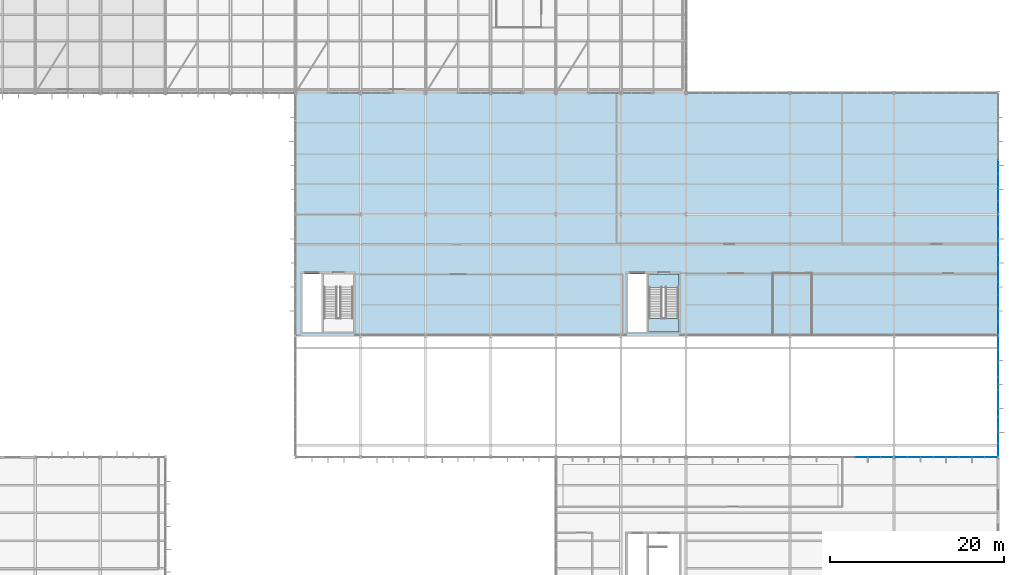
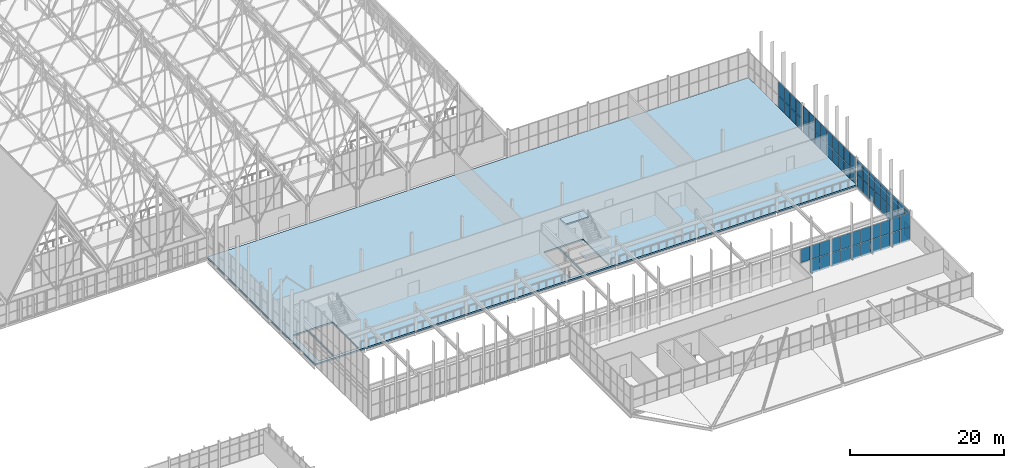
# One storey, part 283 of 324: 65 plates, 3 slabs, 6 elements without a shape of their own.
"""IFC4 building model written with IfcOpenShell, lengths in metres."""

from ifc_helpers import new_model, si_unit, direction, frame, origin, origin_2d, place, context, subcontext, project, spatial, polyline, rectangle, outline, extrude, material, layer, layer_set, type_object, element, aggregate, save


model = new_model("IFC4")

# Units and contexts
model_context = context("Model", 3, precision=1e-05, world=origin(), true_north=direction((0.0, 1.0)))
body_context = subcontext(model_context, "Body", "Model", "MODEL_VIEW")
ifc_project = project(units=[si_unit("LENGTHUNIT", "METRE"), si_unit("AREAUNIT", "SQUARE_METRE"), si_unit("VOLUMEUNIT", "CUBIC_METRE"), si_unit("PLANEANGLEUNIT", "RADIAN"), si_unit("MASSUNIT", "GRAM", prefix="KILO")], contexts=[model_context])

# Site, building, storey
site_placement = place(None, origin())
site = spatial("IfcSite", under=ifc_project, at=site_placement, CompositionType="ELEMENT")
building_placement = place(site_placement, origin())
building = spatial("IfcBuilding", under=site, at=building_placement, Name="Solvenia Promenade Tram Depot", CompositionType="ELEMENT")
storey_placement = place(building_placement, frame((0.0, 0.0, 4.5)))
storey = spatial("IfcBuildingStorey", under=building, at=storey_placement, Name="L01", CompositionType="ELEMENT", Elevation=4.5)

# Curtain wall, plates
ifc_material_1 = material(Name="Anodized aluminium AW-6063 T6", Category="aluminium")
ifc_layer_1 = layer(ifc_material_1, 0.080078125, Name="Anodized aluminium AW-6063 T6", Category="aluminium")
ifc_layer_set_1 = layer_set([ifc_layer_1], Name="Anodized aluminium AW-6063 T6")
curtain_wall_type = type_object("IfcCurtainWallType", Name="CW-Clerest-1500", PredefinedType="NOTDEFINED", material=ifc_layer_set_1)
curtain_wall_1_placement = place(storey_placement, origin())
curtain_wall_1 = element("IfcCurtainWall", 1, at=curtain_wall_1_placement, inside=storey, type_object=curtain_wall_type, Name="Curtain Wall CW-V2S-L1-08", PredefinedType="NOTDEFINED")
ifc_material_2 = material(Name="Double low-e argon insulated glass", Category="glass")
ifc_layer_2 = layer(ifc_material_2, 0.031982421875, Name="Double low-e argon insulated glass", Category="glass")
ifc_layer_set_2 = layer_set([ifc_layer_2], Name="Double low-e argon insulated glass")
plate_type = type_object("IfcPlateType", Name="CWP-Panel-2", PredefinedType="CURTAIN_PANEL", material=ifc_layer_set_2)
plate_1_placement = place(storey_placement, frame((170.219970703125, 24.0, 1.927490234375), z_axis=(0.0, 0.0, 1.0), x_axis=(1.0, 0.0, 0.0)))
plate_1 = element("IfcPlate", 2, at=plate_1_placement, type_object=plate_type, Name="CW-4 panel 6.2", PredefinedType="CURTAIN_PANEL", context=body_context, shape_type="SweptSolid", body=[
    extrude(rectangle(XDim=1.425048828125, YDim=0.031982421875, at=origin_2d()), origin(), (0.0, 0.0, 1.0), 2.16748046875),
])
plate_2_placement = place(storey_placement, frame((171.699951171875, 24.0, -0.294921875), z_axis=(0.0, 0.0, 1.0), x_axis=(1.0, 0.0, 0.0)))
plate_2 = element("IfcPlate", 3, at=plate_2_placement, type_object=plate_type, Name="CW-4 panel 7.1", PredefinedType="CURTAIN_PANEL", context=body_context, shape_type="SweptSolid", body=[
    extrude(rectangle(XDim=1.425048828125, YDim=0.031982421875, at=origin_2d()), origin(), (0.0, 0.0, 1.0), 2.16748046875),
])
plate_3_placement = place(storey_placement, frame((171.699951171875, 24.0, 1.927490234375), z_axis=(0.0, 0.0, 1.0), x_axis=(1.0, 0.0, 0.0)))
plate_3 = element("IfcPlate", 4, at=plate_3_placement, type_object=plate_type, Name="CW-4 panel 7.2", PredefinedType="CURTAIN_PANEL", context=body_context, shape_type="SweptSolid", body=[
    extrude(rectangle(XDim=1.425048828125, YDim=0.031982421875, at=origin_2d()), origin(), (0.0, 0.0, 1.0), 2.16748046875),
])
plate_4_placement = place(storey_placement, frame((173.166259765625, 24.0, -0.294921875), z_axis=(0.0, 0.0, 1.0), x_axis=(1.0, 0.0, 0.0)))
plate_4 = element("IfcPlate", 5, at=plate_4_placement, type_object=plate_type, Name="CW-4 panel 8.1", PredefinedType="CURTAIN_PANEL", context=body_context, shape_type="SweptSolid", body=[
    extrude(rectangle(XDim=1.3974609375, YDim=0.031982421875, at=origin_2d()), origin(), (0.0, 0.0, 1.0), 2.16748046875),
])
plate_5_placement = place(storey_placement, frame((173.166259765625, 24.0, 1.927490234375), z_axis=(0.0, 0.0, 1.0), x_axis=(1.0, 0.0, 0.0)))
plate_5 = element("IfcPlate", 6, at=plate_5_placement, type_object=plate_type, Name="CW-4 panel 8.2", PredefinedType="CURTAIN_PANEL", context=body_context, shape_type="SweptSolid", body=[
    extrude(rectangle(XDim=1.3974609375, YDim=0.031982421875, at=origin_2d()), origin(), (0.0, 0.0, 1.0), 2.16748046875),
])
aggregate(curtain_wall_1, [plate_1, plate_2, plate_3, plate_4, plate_5])

curtain_wall_2_placement = place(storey_placement, origin())
curtain_wall_2 = element("IfcCurtainWall", 7, at=curtain_wall_2_placement, inside=storey, type_object=curtain_wall_type, Name="Curtain Wall CW-V2S-L1-09", PredefinedType="NOTDEFINED")
plate_6_placement = place(storey_placement, frame((174.833740234375, 24.0, -0.294921875), z_axis=(0.0, 0.0, 1.0), x_axis=(1.0, 0.0, 0.0)))
plate_6 = element("IfcPlate", 8, at=plate_6_placement, type_object=plate_type, Name="CW-4 panel 1.1", PredefinedType="CURTAIN_PANEL", context=body_context, shape_type="SweptSolid", body=[
    extrude(rectangle(XDim=1.3974609375, YDim=0.031982421875, at=origin_2d()), origin(), (0.0, 0.0, 1.0), 2.16748046875),
])
plate_7_placement = place(storey_placement, frame((174.833740234375, 24.0, 1.927490234375), z_axis=(0.0, 0.0, 1.0), x_axis=(1.0, 0.0, 0.0)))
plate_7 = element("IfcPlate", 9, at=plate_7_placement, type_object=plate_type, Name="CW-4 panel 1.2", PredefinedType="CURTAIN_PANEL", context=body_context, shape_type="SweptSolid", body=[
    extrude(rectangle(XDim=1.3974609375, YDim=0.031982421875, at=origin_2d()), origin(), (0.0, 0.0, 1.0), 2.16748046875),
])
plate_8_placement = place(storey_placement, frame((176.300048828125, 24.0, -0.294921875), z_axis=(0.0, 0.0, 1.0), x_axis=(1.0, 0.0, 0.0)))
plate_8 = element("IfcPlate", 10, at=plate_8_placement, type_object=plate_type, Name="CW-4 panel 2.1", PredefinedType="CURTAIN_PANEL", context=body_context, shape_type="SweptSolid", body=[
    extrude(rectangle(XDim=1.425048828125, YDim=0.031982421875, at=origin_2d()), origin(), (0.0, 0.0, 1.0), 2.16748046875),
])
plate_9_placement = place(storey_placement, frame((176.300048828125, 24.0, 1.927490234375), z_axis=(0.0, 0.0, 1.0), x_axis=(1.0, 0.0, 0.0)))
plate_9 = element("IfcPlate", 11, at=plate_9_placement, type_object=plate_type, Name="CW-4 panel 2.2", PredefinedType="CURTAIN_PANEL", context=body_context, shape_type="SweptSolid", body=[
    extrude(rectangle(XDim=1.425048828125, YDim=0.031982421875, at=origin_2d()), origin(), (0.0, 0.0, 1.0), 2.16748046875),
])
plate_10_placement = place(storey_placement, frame((177.780029296875, 24.0, -0.294921875), z_axis=(0.0, 0.0, 1.0), x_axis=(1.0, 0.0, 0.0)))
plate_10 = element("IfcPlate", 12, at=plate_10_placement, type_object=plate_type, Name="CW-4 panel 3.1", PredefinedType="CURTAIN_PANEL", context=body_context, shape_type="SweptSolid", body=[
    extrude(rectangle(XDim=1.425048828125, YDim=0.031982421875, at=origin_2d()), origin(), (0.0, 0.0, 1.0), 2.16748046875),
])
plate_11_placement = place(storey_placement, frame((177.780029296875, 24.0, 1.927490234375), z_axis=(0.0, 0.0, 1.0), x_axis=(1.0, 0.0, 0.0)))
plate_11 = element("IfcPlate", 13, at=plate_11_placement, type_object=plate_type, Name="CW-4 panel 3.2", PredefinedType="CURTAIN_PANEL", context=body_context, shape_type="SweptSolid", body=[
    extrude(rectangle(XDim=1.425048828125, YDim=0.031982421875, at=origin_2d()), origin(), (0.0, 0.0, 1.0), 2.16748046875),
])
plate_12_placement = place(storey_placement, frame((179.260009765625, 24.0, -0.294921875), z_axis=(0.0, 0.0, 1.0), x_axis=(1.0, 0.0, 0.0)))
plate_12 = element("IfcPlate", 14, at=plate_12_placement, type_object=plate_type, Name="CW-4 panel 4.1", PredefinedType="CURTAIN_PANEL", context=body_context, shape_type="SweptSolid", body=[
    extrude(rectangle(XDim=1.425048828125, YDim=0.031982421875, at=origin_2d()), origin(), (0.0, 0.0, 1.0), 2.16748046875),
])
plate_13_placement = place(storey_placement, frame((179.260009765625, 24.0, 1.927490234375), z_axis=(0.0, 0.0, 1.0), x_axis=(1.0, 0.0, 0.0)))
plate_13 = element("IfcPlate", 15, at=plate_13_placement, type_object=plate_type, Name="CW-4 panel 4.2", PredefinedType="CURTAIN_PANEL", context=body_context, shape_type="SweptSolid", body=[
    extrude(rectangle(XDim=1.425048828125, YDim=0.031982421875, at=origin_2d()), origin(), (0.0, 0.0, 1.0), 2.16748046875),
])
plate_14_placement = place(storey_placement, frame((180.739990234375, 24.0, -0.294921875), z_axis=(0.0, 0.0, 1.0), x_axis=(1.0, 0.0, 0.0)))
plate_14 = element("IfcPlate", 16, at=plate_14_placement, type_object=plate_type, Name="CW-4 panel 5.1", PredefinedType="CURTAIN_PANEL", context=body_context, shape_type="SweptSolid", body=[
    extrude(rectangle(XDim=1.425048828125, YDim=0.031982421875, at=origin_2d()), origin(), (0.0, 0.0, 1.0), 2.16748046875),
])
plate_15_placement = place(storey_placement, frame((180.739990234375, 24.0, 1.927490234375), z_axis=(0.0, 0.0, 1.0), x_axis=(1.0, 0.0, 0.0)))
plate_15 = element("IfcPlate", 17, at=plate_15_placement, type_object=plate_type, Name="CW-4 panel 5.2", PredefinedType="CURTAIN_PANEL", context=body_context, shape_type="SweptSolid", body=[
    extrude(rectangle(XDim=1.425048828125, YDim=0.031982421875, at=origin_2d()), origin(), (0.0, 0.0, 1.0), 2.16748046875),
])
plate_16_placement = place(storey_placement, frame((182.219970703125, 24.0, -0.294921875), z_axis=(0.0, 0.0, 1.0), x_axis=(1.0, 0.0, 0.0)))
plate_16 = element("IfcPlate", 18, at=plate_16_placement, type_object=plate_type, Name="CW-4 panel 6.1", PredefinedType="CURTAIN_PANEL", context=body_context, shape_type="SweptSolid", body=[
    extrude(rectangle(XDim=1.425048828125, YDim=0.031982421875, at=origin_2d()), origin(), (0.0, 0.0, 1.0), 2.16748046875),
])
plate_17_placement = place(storey_placement, frame((182.219970703125, 24.0, 1.927490234375), z_axis=(0.0, 0.0, 1.0), x_axis=(1.0, 0.0, 0.0)))
plate_17 = element("IfcPlate", 19, at=plate_17_placement, type_object=plate_type, Name="CW-4 panel 6.2", PredefinedType="CURTAIN_PANEL", context=body_context, shape_type="SweptSolid", body=[
    extrude(rectangle(XDim=1.425048828125, YDim=0.031982421875, at=origin_2d()), origin(), (0.0, 0.0, 1.0), 2.16748046875),
])
plate_18_placement = place(storey_placement, frame((183.699951171875, 24.0, -0.294921875), z_axis=(0.0, 0.0, 1.0), x_axis=(1.0, 0.0, 0.0)))
plate_18 = element("IfcPlate", 20, at=plate_18_placement, type_object=plate_type, Name="CW-4 panel 7.1", PredefinedType="CURTAIN_PANEL", context=body_context, shape_type="SweptSolid", body=[
    extrude(rectangle(XDim=1.425048828125, YDim=0.031982421875, at=origin_2d()), origin(), (0.0, 0.0, 1.0), 2.16748046875),
])
plate_19_placement = place(storey_placement, frame((183.699951171875, 24.0, 1.927490234375), z_axis=(0.0, 0.0, 1.0), x_axis=(1.0, 0.0, 0.0)))
plate_19 = element("IfcPlate", 21, at=plate_19_placement, type_object=plate_type, Name="CW-4 panel 7.2", PredefinedType="CURTAIN_PANEL", context=body_context, shape_type="SweptSolid", body=[
    extrude(rectangle(XDim=1.425048828125, YDim=0.031982421875, at=origin_2d()), origin(), (0.0, 0.0, 1.0), 2.16748046875),
])
plate_20_placement = place(storey_placement, frame((185.166259765625, 24.0, -0.294921875), z_axis=(0.0, 0.0, 1.0), x_axis=(1.0, 0.0, 0.0)))
plate_20 = element("IfcPlate", 22, at=plate_20_placement, type_object=plate_type, Name="CW-4 panel 8.1", PredefinedType="CURTAIN_PANEL", context=body_context, shape_type="SweptSolid", body=[
    extrude(rectangle(XDim=1.3974609375, YDim=0.031982421875, at=origin_2d()), origin(), (0.0, 0.0, 1.0), 2.16748046875),
])
plate_21_placement = place(storey_placement, frame((185.166259765625, 24.0, 1.927490234375), z_axis=(0.0, 0.0, 1.0), x_axis=(1.0, 0.0, 0.0)))
plate_21 = element("IfcPlate", 23, at=plate_21_placement, type_object=plate_type, Name="CW-4 panel 8.2", PredefinedType="CURTAIN_PANEL", context=body_context, shape_type="SweptSolid", body=[
    extrude(rectangle(XDim=1.3974609375, YDim=0.031982421875, at=origin_2d()), origin(), (0.0, 0.0, 1.0), 2.16748046875),
])
aggregate(curtain_wall_2, [plate_6, plate_7, plate_8, plate_9, plate_10, plate_11, plate_12, plate_13, plate_14, plate_15, plate_16, plate_17, plate_18, plate_19, plate_20, plate_21])

curtain_wall_3_placement = place(storey_placement, origin())
curtain_wall_3 = element("IfcCurtainWall", 24, at=curtain_wall_3_placement, inside=storey, type_object=curtain_wall_type, Name="Curtain Wall CW-V2E-L1-1", PredefinedType="NOTDEFINED")
plate_22_placement = place(storey_placement, frame((186.0, 24.862548828125, -0.294921875), z_axis=(0.0, 0.0, 1.0), x_axis=(0.0, 1.0, 0.0)))
plate_22 = element("IfcPlate", 25, at=plate_22_placement, type_object=plate_type, Name="CW-4 panel 1.1", PredefinedType="CURTAIN_PANEL", context=body_context, shape_type="SweptSolid", body=[
    extrude(rectangle(XDim=1.455322265625, YDim=0.031982421875, at=origin_2d()), origin(), (0.0, 0.0, 1.0), 2.16748046875),
])
plate_23_placement = place(storey_placement, frame((186.0, 24.862548828125, 1.92724609375), z_axis=(0.0, 0.0, 1.0), x_axis=(0.0, 1.0, 0.0)))
plate_23 = element("IfcPlate", 26, at=plate_23_placement, type_object=plate_type, Name="CW-4 panel 1.2", PredefinedType="CURTAIN_PANEL", context=body_context, shape_type="SweptSolid", body=[
    extrude(rectangle(XDim=1.455322265625, YDim=0.031982421875, at=origin_2d()), origin(), (0.0, 0.0, 1.0), 2.217529296875),
])
plate_24_placement = place(storey_placement, frame((186.0, 26.38671875, -0.294921875), z_axis=(0.0, 0.0, 1.0), x_axis=(0.0, 1.0, 0.0)))
plate_24 = element("IfcPlate", 27, at=plate_24_placement, type_object=plate_type, Name="CW-4 panel 2.1", PredefinedType="CURTAIN_PANEL", context=body_context, shape_type="SweptSolid", body=[
    extrude(rectangle(XDim=1.482666015625, YDim=0.031982421875, at=origin_2d()), origin(), (0.0, 0.0, 1.0), 2.16748046875),
])
plate_25_placement = place(storey_placement, frame((186.0, 26.38671875, 1.92724609375), z_axis=(0.0, 0.0, 1.0), x_axis=(0.0, 1.0, 0.0)))
plate_25 = element("IfcPlate", 28, at=plate_25_placement, type_object=plate_type, Name="CW-4 panel 2.2", PredefinedType="CURTAIN_PANEL", context=body_context, shape_type="SweptSolid", body=[
    extrude(rectangle(XDim=1.482666015625, YDim=0.031982421875, at=origin_2d()), origin(), (0.0, 0.0, 1.0), 2.217529296875),
])
plate_26_placement = place(storey_placement, frame((186.0, 27.924560546875, -0.294921875), z_axis=(0.0, 0.0, 1.0), x_axis=(0.0, 1.0, 0.0)))
plate_26 = element("IfcPlate", 29, at=plate_26_placement, type_object=plate_type, Name="CW-4 panel 3.1", PredefinedType="CURTAIN_PANEL", context=body_context, shape_type="SweptSolid", body=[
    extrude(rectangle(XDim=1.482666015625, YDim=0.031982421875, at=origin_2d()), origin(), (0.0, 0.0, 1.0), 2.16748046875),
])
plate_27_placement = place(storey_placement, frame((186.0, 27.924560546875, 1.92724609375), z_axis=(0.0, 0.0, 1.0), x_axis=(0.0, 1.0, 0.0)))
plate_27 = element("IfcPlate", 30, at=plate_27_placement, type_object=plate_type, Name="CW-4 panel 3.2", PredefinedType="CURTAIN_PANEL", context=body_context, shape_type="SweptSolid", body=[
    extrude(rectangle(XDim=1.482666015625, YDim=0.031982421875, at=origin_2d()), origin(), (0.0, 0.0, 1.0), 2.217529296875),
])
plate_28_placement = place(storey_placement, frame((186.0, 29.462158203125, -0.294921875), z_axis=(0.0, 0.0, 1.0), x_axis=(0.0, 1.0, 0.0)))
plate_28 = element("IfcPlate", 31, at=plate_28_placement, type_object=plate_type, Name="CW-4 panel 4.1", PredefinedType="CURTAIN_PANEL", context=body_context, shape_type="SweptSolid", body=[
    extrude(rectangle(XDim=1.482666015625, YDim=0.031982421875, at=origin_2d()), origin(), (0.0, 0.0, 1.0), 2.16748046875),
])
plate_29_placement = place(storey_placement, frame((186.0, 29.462158203125, 1.92724609375), z_axis=(0.0, 0.0, 1.0), x_axis=(0.0, 1.0, 0.0)))
plate_29 = element("IfcPlate", 32, at=plate_29_placement, type_object=plate_type, Name="CW-4 panel 4.2", PredefinedType="CURTAIN_PANEL", context=body_context, shape_type="SweptSolid", body=[
    extrude(rectangle(XDim=1.482666015625, YDim=0.031982421875, at=origin_2d()), origin(), (0.0, 0.0, 1.0), 2.217529296875),
])
plate_30_placement = place(storey_placement, frame((186.0, 31.0, -0.294921875), z_axis=(0.0, 0.0, 1.0), x_axis=(0.0, 1.0, 0.0)))
plate_30 = element("IfcPlate", 33, at=plate_30_placement, type_object=plate_type, Name="CW-4 panel 5.1", PredefinedType="CURTAIN_PANEL", context=body_context, shape_type="SweptSolid", body=[
    extrude(rectangle(XDim=1.482666015625, YDim=0.031982421875, at=origin_2d()), origin(), (0.0, 0.0, 1.0), 2.16748046875),
])
plate_31_placement = place(storey_placement, frame((186.0, 31.0, 1.92724609375), z_axis=(0.0, 0.0, 1.0), x_axis=(0.0, 1.0, 0.0)))
plate_31 = element("IfcPlate", 34, at=plate_31_placement, type_object=plate_type, Name="CW-4 panel 5.2", PredefinedType="CURTAIN_PANEL", context=body_context, shape_type="SweptSolid", body=[
    extrude(rectangle(XDim=1.482666015625, YDim=0.031982421875, at=origin_2d()), origin(), (0.0, 0.0, 1.0), 2.217529296875),
])
plate_32_placement = place(storey_placement, frame((186.0, 32.537841796875, -0.294921875), z_axis=(0.0, 0.0, 1.0), x_axis=(0.0, 1.0, 0.0)))
plate_32 = element("IfcPlate", 35, at=plate_32_placement, type_object=plate_type, Name="CW-4 panel 6.1", PredefinedType="CURTAIN_PANEL", context=body_context, shape_type="SweptSolid", body=[
    extrude(rectangle(XDim=1.482666015625, YDim=0.031982421875, at=origin_2d()), origin(), (0.0, 0.0, 1.0), 2.16748046875),
])
plate_33_placement = place(storey_placement, frame((186.0, 32.537841796875, 1.92724609375), z_axis=(0.0, 0.0, 1.0), x_axis=(0.0, 1.0, 0.0)))
plate_33 = element("IfcPlate", 36, at=plate_33_placement, type_object=plate_type, Name="CW-4 panel 6.2", PredefinedType="CURTAIN_PANEL", context=body_context, shape_type="SweptSolid", body=[
    extrude(rectangle(XDim=1.482666015625, YDim=0.031982421875, at=origin_2d()), origin(), (0.0, 0.0, 1.0), 2.217529296875),
])
plate_34_placement = place(storey_placement, frame((186.0, 34.075439453125, -0.294921875), z_axis=(0.0, 0.0, 1.0), x_axis=(0.0, 1.0, 0.0)))
plate_34 = element("IfcPlate", 37, at=plate_34_placement, type_object=plate_type, Name="CW-4 panel 7.1", PredefinedType="CURTAIN_PANEL", context=body_context, shape_type="SweptSolid", body=[
    extrude(rectangle(XDim=1.482666015625, YDim=0.031982421875, at=origin_2d()), origin(), (0.0, 0.0, 1.0), 2.16748046875),
])
plate_35_placement = place(storey_placement, frame((186.0, 34.075439453125, 1.92724609375), z_axis=(0.0, 0.0, 1.0), x_axis=(0.0, 1.0, 0.0)))
plate_35 = element("IfcPlate", 38, at=plate_35_placement, type_object=plate_type, Name="CW-4 panel 7.2", PredefinedType="CURTAIN_PANEL", context=body_context, shape_type="SweptSolid", body=[
    extrude(rectangle(XDim=1.482666015625, YDim=0.031982421875, at=origin_2d()), origin(), (0.0, 0.0, 1.0), 2.217529296875),
])
plate_36_placement = place(storey_placement, frame((186.0, 35.61328125, -0.294921875), z_axis=(0.0, 0.0, 1.0), x_axis=(0.0, 1.0, 0.0)))
plate_36 = element("IfcPlate", 39, at=plate_36_placement, type_object=plate_type, Name="CW-4 panel 8.1", PredefinedType="CURTAIN_PANEL", context=body_context, shape_type="SweptSolid", body=[
    extrude(rectangle(XDim=1.482666015625, YDim=0.031982421875, at=origin_2d()), origin(), (0.0, 0.0, 1.0), 2.16748046875),
])
plate_37_placement = place(storey_placement, frame((186.0, 35.61328125, 1.92724609375), z_axis=(0.0, 0.0, 1.0), x_axis=(0.0, 1.0, 0.0)))
plate_37 = element("IfcPlate", 40, at=plate_37_placement, type_object=plate_type, Name="CW-4 panel 8.2", PredefinedType="CURTAIN_PANEL", context=body_context, shape_type="SweptSolid", body=[
    extrude(rectangle(XDim=1.482666015625, YDim=0.031982421875, at=origin_2d()), origin(), (0.0, 0.0, 1.0), 2.217529296875),
])
plate_38_placement = place(storey_placement, frame((186.0, 37.137451171875, -0.294921875), z_axis=(0.0, 0.0, 1.0), x_axis=(0.0, 1.0, 0.0)))
plate_38 = element("IfcPlate", 41, at=plate_38_placement, type_object=plate_type, Name="CW-4 panel 9.1", PredefinedType="CURTAIN_PANEL", context=body_context, shape_type="SweptSolid", body=[
    extrude(rectangle(XDim=1.455322265625, YDim=0.031982421875, at=origin_2d()), origin(), (0.0, 0.0, 1.0), 2.16748046875),
])
plate_39_placement = place(storey_placement, frame((186.0, 37.137451171875, 1.92724609375), z_axis=(0.0, 0.0, 1.0), x_axis=(0.0, 1.0, 0.0)))
plate_39 = element("IfcPlate", 42, at=plate_39_placement, type_object=plate_type, Name="CW-4 panel 9.2", PredefinedType="CURTAIN_PANEL", context=body_context, shape_type="SweptSolid", body=[
    extrude(rectangle(XDim=1.455322265625, YDim=0.031982421875, at=origin_2d()), origin(), (0.0, 0.0, 1.0), 2.217529296875),
])
aggregate(curtain_wall_3, [plate_22, plate_23, plate_24, plate_25, plate_26, plate_27, plate_28, plate_29, plate_30, plate_31, plate_32, plate_33, plate_34, plate_35, plate_36, plate_37, plate_38, plate_39])

curtain_wall_4_placement = place(storey_placement, origin())
curtain_wall_4 = element("IfcCurtainWall", 43, at=curtain_wall_4_placement, inside=storey, type_object=curtain_wall_type, Name="Curtain Wall CW-V2E-L1-2", PredefinedType="NOTDEFINED")
plate_40_placement = place(storey_placement, frame((186.0, 38.862548828125, -0.294921875), z_axis=(0.0, 0.0, 1.0), x_axis=(0.0, 1.0, 0.0)))
plate_40 = element("IfcPlate", 44, at=plate_40_placement, type_object=plate_type, Name="CW-4 panel 1.1", PredefinedType="CURTAIN_PANEL", context=body_context, shape_type="SweptSolid", body=[
    extrude(rectangle(XDim=1.455322265625, YDim=0.031982421875, at=origin_2d()), origin(), (0.0, 0.0, 1.0), 2.16748046875),
])
plate_41_placement = place(storey_placement, frame((186.0, 38.862548828125, 1.92724609375), z_axis=(0.0, 0.0, 1.0), x_axis=(0.0, 1.0, 0.0)))
plate_41 = element("IfcPlate", 45, at=plate_41_placement, type_object=plate_type, Name="CW-4 panel 1.2", PredefinedType="CURTAIN_PANEL", context=body_context, shape_type="SweptSolid", body=[
    extrude(rectangle(XDim=1.455322265625, YDim=0.031982421875, at=origin_2d()), origin(), (0.0, 0.0, 1.0), 2.217529296875),
])
plate_42_placement = place(storey_placement, frame((186.0, 40.38671875, -0.294921875), z_axis=(0.0, 0.0, 1.0), x_axis=(0.0, 1.0, 0.0)))
plate_42 = element("IfcPlate", 46, at=plate_42_placement, type_object=plate_type, Name="CW-4 panel 2.1", PredefinedType="CURTAIN_PANEL", context=body_context, shape_type="SweptSolid", body=[
    extrude(rectangle(XDim=1.482666015625, YDim=0.031982421875, at=origin_2d()), origin(), (0.0, 0.0, 1.0), 2.16748046875),
])
plate_43_placement = place(storey_placement, frame((186.0, 40.38671875, 1.92724609375), z_axis=(0.0, 0.0, 1.0), x_axis=(0.0, 1.0, 0.0)))
plate_43 = element("IfcPlate", 47, at=plate_43_placement, type_object=plate_type, Name="CW-4 panel 2.2", PredefinedType="CURTAIN_PANEL", context=body_context, shape_type="SweptSolid", body=[
    extrude(rectangle(XDim=1.482666015625, YDim=0.031982421875, at=origin_2d()), origin(), (0.0, 0.0, 1.0), 2.217529296875),
])
plate_44_placement = place(storey_placement, frame((186.0, 41.924560546875, -0.294921875), z_axis=(0.0, 0.0, 1.0), x_axis=(0.0, 1.0, 0.0)))
plate_44 = element("IfcPlate", 48, at=plate_44_placement, type_object=plate_type, Name="CW-4 panel 3.1", PredefinedType="CURTAIN_PANEL", context=body_context, shape_type="SweptSolid", body=[
    extrude(rectangle(XDim=1.482666015625, YDim=0.031982421875, at=origin_2d()), origin(), (0.0, 0.0, 1.0), 2.16748046875),
])
plate_45_placement = place(storey_placement, frame((186.0, 41.924560546875, 1.92724609375), z_axis=(0.0, 0.0, 1.0), x_axis=(0.0, 1.0, 0.0)))
plate_45 = element("IfcPlate", 49, at=plate_45_placement, type_object=plate_type, Name="CW-4 panel 3.2", PredefinedType="CURTAIN_PANEL", context=body_context, shape_type="SweptSolid", body=[
    extrude(rectangle(XDim=1.482666015625, YDim=0.031982421875, at=origin_2d()), origin(), (0.0, 0.0, 1.0), 2.217529296875),
])
plate_46_placement = place(storey_placement, frame((186.0, 43.462158203125, -0.294921875), z_axis=(0.0, 0.0, 1.0), x_axis=(0.0, 1.0, 0.0)))
plate_46 = element("IfcPlate", 50, at=plate_46_placement, type_object=plate_type, Name="CW-4 panel 4.1", PredefinedType="CURTAIN_PANEL", context=body_context, shape_type="SweptSolid", body=[
    extrude(rectangle(XDim=1.482666015625, YDim=0.031982421875, at=origin_2d()), origin(), (0.0, 0.0, 1.0), 2.16748046875),
])
plate_47_placement = place(storey_placement, frame((186.0, 43.462158203125, 1.92724609375), z_axis=(0.0, 0.0, 1.0), x_axis=(0.0, 1.0, 0.0)))
plate_47 = element("IfcPlate", 51, at=plate_47_placement, type_object=plate_type, Name="CW-4 panel 4.2", PredefinedType="CURTAIN_PANEL", context=body_context, shape_type="SweptSolid", body=[
    extrude(rectangle(XDim=1.482666015625, YDim=0.031982421875, at=origin_2d()), origin(), (0.0, 0.0, 1.0), 2.217529296875),
])
plate_48_placement = place(storey_placement, frame((186.0, 45.0, -0.294921875), z_axis=(0.0, 0.0, 1.0), x_axis=(0.0, 1.0, 0.0)))
plate_48 = element("IfcPlate", 52, at=plate_48_placement, type_object=plate_type, Name="CW-4 panel 5.1", PredefinedType="CURTAIN_PANEL", context=body_context, shape_type="SweptSolid", body=[
    extrude(rectangle(XDim=1.482666015625, YDim=0.031982421875, at=origin_2d()), origin(), (0.0, 0.0, 1.0), 2.16748046875),
])
plate_49_placement = place(storey_placement, frame((186.0, 45.0, 1.92724609375), z_axis=(0.0, 0.0, 1.0), x_axis=(0.0, 1.0, 0.0)))
plate_49 = element("IfcPlate", 53, at=plate_49_placement, type_object=plate_type, Name="CW-4 panel 5.2", PredefinedType="CURTAIN_PANEL", context=body_context, shape_type="SweptSolid", body=[
    extrude(rectangle(XDim=1.482666015625, YDim=0.031982421875, at=origin_2d()), origin(), (0.0, 0.0, 1.0), 2.217529296875),
])
plate_50_placement = place(storey_placement, frame((186.0, 46.537841796875, -0.294921875), z_axis=(0.0, 0.0, 1.0), x_axis=(0.0, 1.0, 0.0)))
plate_50 = element("IfcPlate", 54, at=plate_50_placement, type_object=plate_type, Name="CW-4 panel 6.1", PredefinedType="CURTAIN_PANEL", context=body_context, shape_type="SweptSolid", body=[
    extrude(rectangle(XDim=1.482666015625, YDim=0.031982421875, at=origin_2d()), origin(), (0.0, 0.0, 1.0), 2.16748046875),
])
plate_51_placement = place(storey_placement, frame((186.0, 46.537841796875, 1.92724609375), z_axis=(0.0, 0.0, 1.0), x_axis=(0.0, 1.0, 0.0)))
plate_51 = element("IfcPlate", 55, at=plate_51_placement, type_object=plate_type, Name="CW-4 panel 6.2", PredefinedType="CURTAIN_PANEL", context=body_context, shape_type="SweptSolid", body=[
    extrude(rectangle(XDim=1.482666015625, YDim=0.031982421875, at=origin_2d()), origin(), (0.0, 0.0, 1.0), 2.217529296875),
])
plate_52_placement = place(storey_placement, frame((186.0, 48.075439453125, -0.294921875), z_axis=(0.0, 0.0, 1.0), x_axis=(0.0, 1.0, 0.0)))
plate_52 = element("IfcPlate", 56, at=plate_52_placement, type_object=plate_type, Name="CW-4 panel 7.1", PredefinedType="CURTAIN_PANEL", context=body_context, shape_type="SweptSolid", body=[
    extrude(rectangle(XDim=1.482666015625, YDim=0.031982421875, at=origin_2d()), origin(), (0.0, 0.0, 1.0), 2.16748046875),
])
plate_53_placement = place(storey_placement, frame((186.0, 48.075439453125, 1.92724609375), z_axis=(0.0, 0.0, 1.0), x_axis=(0.0, 1.0, 0.0)))
plate_53 = element("IfcPlate", 57, at=plate_53_placement, type_object=plate_type, Name="CW-4 panel 7.2", PredefinedType="CURTAIN_PANEL", context=body_context, shape_type="SweptSolid", body=[
    extrude(rectangle(XDim=1.482666015625, YDim=0.031982421875, at=origin_2d()), origin(), (0.0, 0.0, 1.0), 2.217529296875),
])
plate_54_placement = place(storey_placement, frame((186.0, 49.61328125, -0.294921875), z_axis=(0.0, 0.0, 1.0), x_axis=(0.0, 1.0, 0.0)))
plate_54 = element("IfcPlate", 58, at=plate_54_placement, type_object=plate_type, Name="CW-4 panel 8.1", PredefinedType="CURTAIN_PANEL", context=body_context, shape_type="SweptSolid", body=[
    extrude(rectangle(XDim=1.482666015625, YDim=0.031982421875, at=origin_2d()), origin(), (0.0, 0.0, 1.0), 2.16748046875),
])
plate_55_placement = place(storey_placement, frame((186.0, 49.61328125, 1.92724609375), z_axis=(0.0, 0.0, 1.0), x_axis=(0.0, 1.0, 0.0)))
plate_55 = element("IfcPlate", 59, at=plate_55_placement, type_object=plate_type, Name="CW-4 panel 8.2", PredefinedType="CURTAIN_PANEL", context=body_context, shape_type="SweptSolid", body=[
    extrude(rectangle(XDim=1.482666015625, YDim=0.031982421875, at=origin_2d()), origin(), (0.0, 0.0, 1.0), 2.217529296875),
])
plate_56_placement = place(storey_placement, frame((186.0, 51.137451171875, -0.294921875), z_axis=(0.0, 0.0, 1.0), x_axis=(0.0, 1.0, 0.0)))
plate_56 = element("IfcPlate", 60, at=plate_56_placement, type_object=plate_type, Name="CW-4 panel 9.1", PredefinedType="CURTAIN_PANEL", context=body_context, shape_type="SweptSolid", body=[
    extrude(rectangle(XDim=1.455322265625, YDim=0.031982421875, at=origin_2d()), origin(), (0.0, 0.0, 1.0), 2.16748046875),
])
plate_57_placement = place(storey_placement, frame((186.0, 51.137451171875, 1.92724609375), z_axis=(0.0, 0.0, 1.0), x_axis=(0.0, 1.0, 0.0)))
plate_57 = element("IfcPlate", 61, at=plate_57_placement, type_object=plate_type, Name="CW-4 panel 9.2", PredefinedType="CURTAIN_PANEL", context=body_context, shape_type="SweptSolid", body=[
    extrude(rectangle(XDim=1.455322265625, YDim=0.031982421875, at=origin_2d()), origin(), (0.0, 0.0, 1.0), 2.217529296875),
])
aggregate(curtain_wall_4, [plate_40, plate_41, plate_42, plate_43, plate_44, plate_45, plate_46, plate_47, plate_48, plate_49, plate_50, plate_51, plate_52, plate_53, plate_54, plate_55, plate_56, plate_57])

curtain_wall_5_placement = place(storey_placement, origin())
curtain_wall_5 = element("IfcCurtainWall", 62, at=curtain_wall_5_placement, inside=storey, type_object=curtain_wall_type, Name="Curtain Wall CW-V2E-L1-3", PredefinedType="NOTDEFINED")
plate_58_placement = place(storey_placement, frame((186.0, 52.862548828125, -0.294921875), z_axis=(0.0, 0.0, 1.0), x_axis=(0.0, 1.0, 0.0)))
plate_58 = element("IfcPlate", 63, at=plate_58_placement, type_object=plate_type, Name="CW-4 panel 1.1", PredefinedType="CURTAIN_PANEL", context=body_context, shape_type="SweptSolid", body=[
    extrude(rectangle(XDim=1.455322265625, YDim=0.031982421875, at=origin_2d()), origin(), (0.0, 0.0, 1.0), 2.16748046875),
])
plate_59_placement = place(storey_placement, frame((186.0, 52.862548828125, 1.92724609375), z_axis=(0.0, 0.0, 1.0), x_axis=(0.0, 1.0, 0.0)))
plate_59 = element("IfcPlate", 64, at=plate_59_placement, type_object=plate_type, Name="CW-4 panel 1.2", PredefinedType="CURTAIN_PANEL", context=body_context, shape_type="SweptSolid", body=[
    extrude(rectangle(XDim=1.455322265625, YDim=0.031982421875, at=origin_2d()), origin(), (0.0, 0.0, 1.0), 2.217529296875),
])
plate_60_placement = place(storey_placement, frame((186.0, 54.38671875, -0.294921875), z_axis=(0.0, 0.0, 1.0), x_axis=(0.0, 1.0, 0.0)))
plate_60 = element("IfcPlate", 65, at=plate_60_placement, type_object=plate_type, Name="CW-4 panel 2.1", PredefinedType="CURTAIN_PANEL", context=body_context, shape_type="SweptSolid", body=[
    extrude(rectangle(XDim=1.482666015625, YDim=0.031982421875, at=origin_2d()), origin(), (0.0, 0.0, 1.0), 2.16748046875),
])
plate_61_placement = place(storey_placement, frame((186.0, 54.38671875, 1.92724609375), z_axis=(0.0, 0.0, 1.0), x_axis=(0.0, 1.0, 0.0)))
plate_61 = element("IfcPlate", 66, at=plate_61_placement, type_object=plate_type, Name="CW-4 panel 2.2", PredefinedType="CURTAIN_PANEL", context=body_context, shape_type="SweptSolid", body=[
    extrude(rectangle(XDim=1.482666015625, YDim=0.031982421875, at=origin_2d()), origin(), (0.0, 0.0, 1.0), 2.217529296875),
])
plate_62_placement = place(storey_placement, frame((186.0, 55.924560546875, -0.294921875), z_axis=(0.0, 0.0, 1.0), x_axis=(0.0, 1.0, 0.0)))
plate_62 = element("IfcPlate", 67, at=plate_62_placement, type_object=plate_type, Name="CW-4 panel 3.1", PredefinedType="CURTAIN_PANEL", context=body_context, shape_type="SweptSolid", body=[
    extrude(rectangle(XDim=1.482666015625, YDim=0.031982421875, at=origin_2d()), origin(), (0.0, 0.0, 1.0), 2.16748046875),
])
plate_63_placement = place(storey_placement, frame((186.0, 55.924560546875, 1.92724609375), z_axis=(0.0, 0.0, 1.0), x_axis=(0.0, 1.0, 0.0)))
plate_63 = element("IfcPlate", 68, at=plate_63_placement, type_object=plate_type, Name="CW-4 panel 3.2", PredefinedType="CURTAIN_PANEL", context=body_context, shape_type="SweptSolid", body=[
    extrude(rectangle(XDim=1.482666015625, YDim=0.031982421875, at=origin_2d()), origin(), (0.0, 0.0, 1.0), 2.217529296875),
])
plate_64_placement = place(storey_placement, frame((186.0, 57.462158203125, -0.294921875), z_axis=(0.0, 0.0, 1.0), x_axis=(0.0, 1.0, 0.0)))
plate_64 = element("IfcPlate", 69, at=plate_64_placement, type_object=plate_type, Name="CW-4 panel 4.1", PredefinedType="CURTAIN_PANEL", context=body_context, shape_type="SweptSolid", body=[
    extrude(rectangle(XDim=1.482666015625, YDim=0.031982421875, at=origin_2d()), origin(), (0.0, 0.0, 1.0), 2.16748046875),
])
plate_65_placement = place(storey_placement, frame((186.0, 57.462158203125, 1.92724609375), z_axis=(0.0, 0.0, 1.0), x_axis=(0.0, 1.0, 0.0)))
plate_65 = element("IfcPlate", 70, at=plate_65_placement, type_object=plate_type, Name="CW-4 panel 4.2", PredefinedType="CURTAIN_PANEL", context=body_context, shape_type="SweptSolid", body=[
    extrude(rectangle(XDim=1.482666015625, YDim=0.031982421875, at=origin_2d()), origin(), (0.0, 0.0, 1.0), 2.217529296875),
])
aggregate(curtain_wall_5, [plate_58, plate_59, plate_60, plate_61, plate_62, plate_63, plate_64, plate_65])

# Slab
ifc_material_3 = material(Name="Concrete C28/35", Category="concrete")
ifc_layer_3 = layer(ifc_material_3, 0.239990234375, Name="Concrete C28/35", Category="concrete")
ifc_layer_set_3 = layer_set([ifc_layer_3], Name="Concrete C28/35")
slab_type_1 = type_object("IfcSlabType", Name="Slab-Floor-240", PredefinedType="FLOOR", material=ifc_layer_set_3)
slab_1_placement = place(storey_placement, frame((0.0, 0.0, -0.239990234375)))
element("IfcSlab", 71, at=slab_1_placement, inside=storey, type_object=slab_type_1, Name="L01 V2 Structural Slab", PredefinedType="FLOOR", context=body_context, shape_type="SweptSolid", body=[
    extrude(outline(polyline([(105.0, 38.0), (186.0, 38.0), (186.0, 66.0), (105.0, 66.0), (105.0, 38.0)]), holes=[polyline([(105.800048828125, 45.14990234375), (108.0, 45.14990234375), (108.0, 38.449951171875), (105.800048828125, 38.449951171875), (105.800048828125, 45.14990234375)]), polyline([(108.179931640625, 45.169921875), (111.719970703125, 45.169921875), (111.719970703125, 38.429931640625), (108.179931640625, 38.429931640625), (108.179931640625, 45.169921875)]), polyline([(143.300048828125, 45.14990234375), (145.5, 45.14990234375), (145.5, 38.449951171875), (143.300048828125, 38.449951171875), (143.300048828125, 45.14990234375)]), polyline([(145.679931640625, 45.169921875), (149.219970703125, 45.169921875), (149.219970703125, 38.429931640625), (145.679931640625, 38.429931640625), (145.679931640625, 45.169921875)])]), origin(), (0.0, 0.0, 1.0), 0.239990234375),
])

# Stair, slabs
stair_type = type_object("IfcStairType", Name="Stair-Core-1460", PredefinedType="TWO_STRAIGHT_RUN_STAIR", material=ifc_material_3)
stair_placement = place(storey_placement, origin())
stair = element("IfcStair", 72, at=stair_placement, inside=storey, type_object=stair_type, Name="Enclosed Exit Stair ST-06-L01", PredefinedType="TWO_STRAIGHT_RUN_STAIR")
ifc_layer_4 = layer(ifc_material_3, 0.22509765625, Name="Concrete C28/35", Category="concrete")
ifc_layer_set_4 = layer_set([ifc_layer_4], Name="Concrete C28/35")
slab_type_2 = type_object("IfcSlabType", Name="Slab-Landing-225", PredefinedType="LANDING", material=ifc_layer_set_4)
slab_2_placement = place(storey_placement, frame((0.0, 0.0, 2.02490234375)))
slab_2 = element("IfcSlab", 73, at=slab_2_placement, type_object=slab_type_2, Name="ST-06-L01 landing 1", PredefinedType="LANDING", context=body_context, shape_type="SweptSolid", body=[
    extrude(outline(polyline([(145.699951171875, 38.449951171875), (149.199951171875, 38.449951171875), (149.199951171875, 40.010009765625), (145.699951171875, 40.010009765625), (145.699951171875, 38.449951171875)])), origin(), (0.0, 0.0, 1.0), 0.22509765625),
])
slab_3_placement = place(storey_placement, frame((0.0, 0.0, 4.27490234375)))
slab_3 = element("IfcSlab", 74, at=slab_3_placement, type_object=slab_type_2, Name="ST-06-L01 landing 2", PredefinedType="LANDING", context=body_context, shape_type="SweptSolid", body=[
    extrude(outline(polyline([(145.699951171875, 43.590087890625), (149.199951171875, 43.590087890625), (149.199951171875, 45.14990234375), (145.699951171875, 45.14990234375), (145.699951171875, 43.590087890625)])), origin(), (0.0, 0.0, 1.0), 0.22509765625),
])
aggregate(stair, [slab_2, slab_3])

save(model, "model.ifc")
